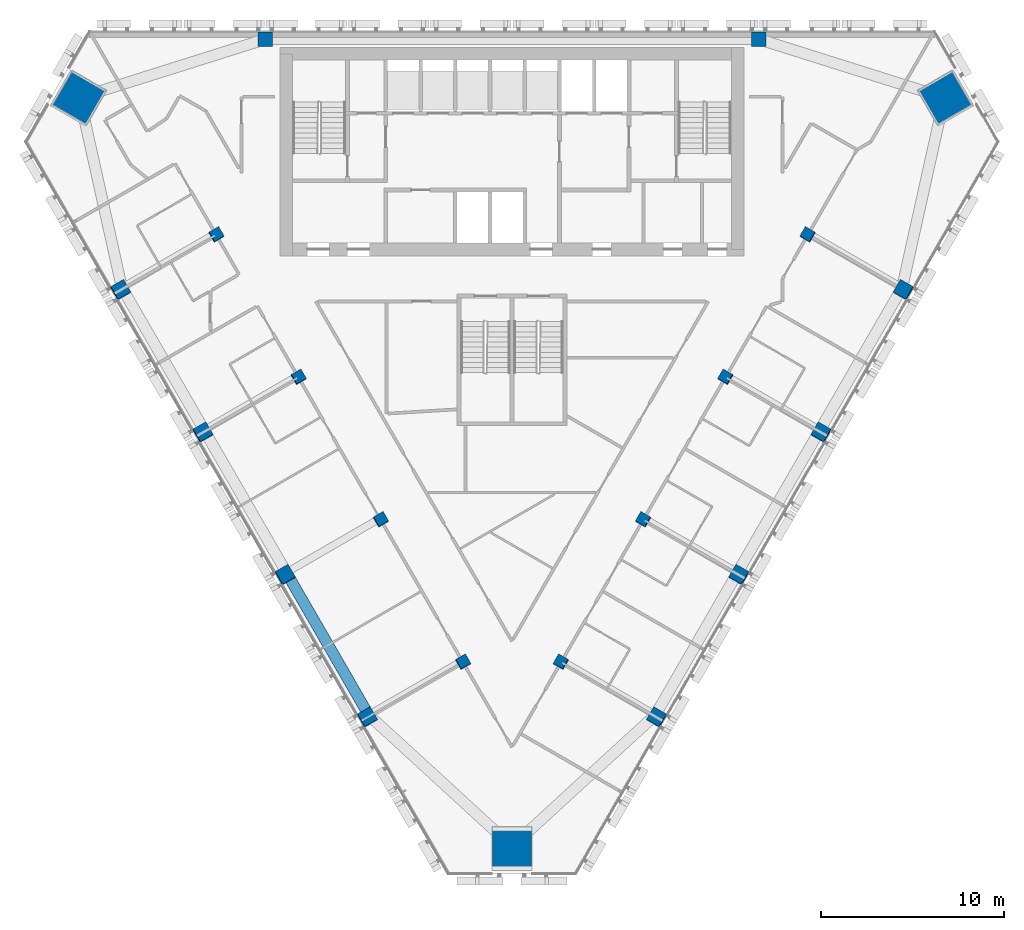
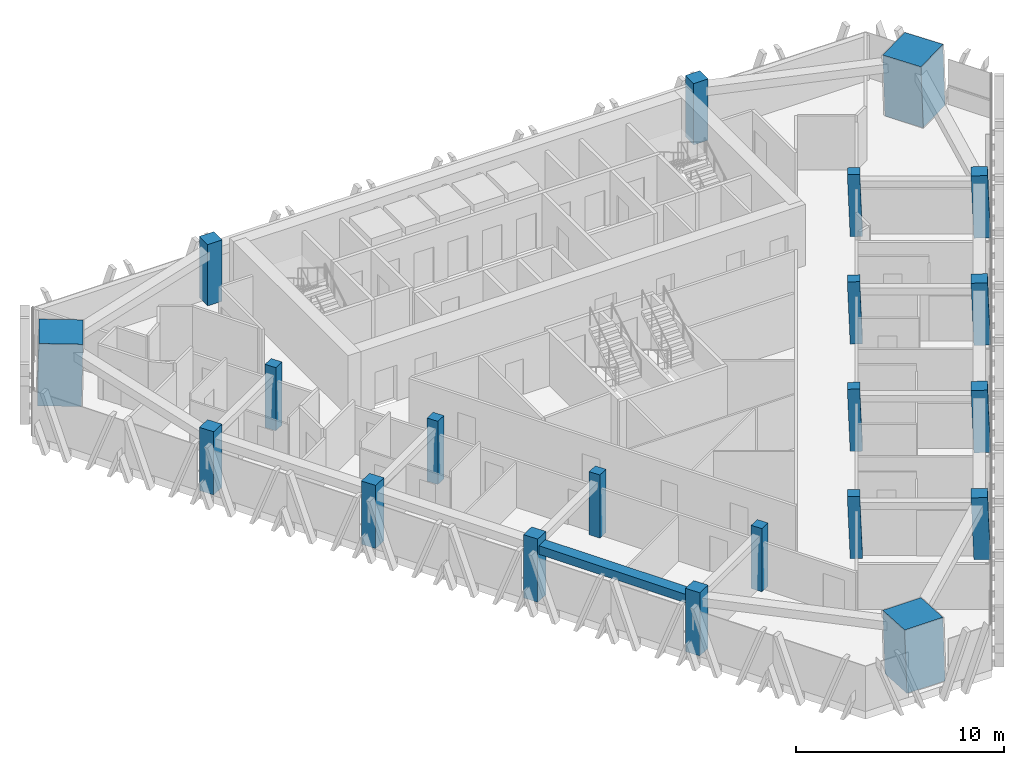
# One storey, part 1 of 16: 21 columns, 1 beam.
"""IFC4 building model written with IfcOpenShell, lengths in metres."""

from ifc_helpers import new_model, si_unit, direction, frame, origin, origin_2d, place, context, subcontext, project, spatial, rectangle, extrude, material, material_profile, profile_set, type_object, element, save


model = new_model("IFC4")

# Units and contexts
model_context = context("Model", 3, precision=1e-05, world=origin(), true_north=direction((0.0, 1.0)))
body_context = subcontext(model_context, "Body", "Model", "MODEL_VIEW")
ifc_project = project(units=[si_unit("LENGTHUNIT", "METRE"), si_unit("AREAUNIT", "SQUARE_METRE"), si_unit("VOLUMEUNIT", "CUBIC_METRE"), si_unit("PLANEANGLEUNIT", "RADIAN"), si_unit("MASSUNIT", "GRAM", prefix="KILO")], contexts=[model_context])

# Site, building, storey
site_placement = place(None, origin())
site = spatial("IfcSite", under=ifc_project, at=site_placement, CompositionType="ELEMENT")
building_placement = place(site_placement, origin())
building = spatial("IfcBuilding", under=site, at=building_placement, Name="Altiplano Prism Tower", CompositionType="ELEMENT")
storey_placement = place(building_placement, frame((0.0, 0.0, 167.39990234375)))
storey = spatial("IfcBuildingStorey", under=building, at=storey_placement, Name="L43", CompositionType="ELEMENT", Elevation=167.39990234375)

# Columns
ifc_material_1 = material(Name="Concrete C60/75", Category="concrete")
ifc_material_profile_1 = material_profile(ifc_material_1, rectangle(XDim=0.60009765625, YDim=0.60009765625, at=origin_2d()), Name="Inner column 600")
ifc_profile_set_1 = profile_set([ifc_material_profile_1], Name="Concrete C60/75")
column_type_1 = type_object("IfcColumnType", Name="Inner column 600", PredefinedType="COLUMN", material=ifc_profile_set_1)
for number, where, z_axis, x_axis, name in (
    (1, (68.811767578125, 93.843994140625, -0.01806640625), (0.022222910879, 0.038415824599, 0.999014697916), (-0.866021322354, -0.498527672539, 0.038434736118), "Inner column I11 L43"),
    (2, (73.311767578125, 86.0498046875, -0.01806640625), (0.022222910879, 0.038415824599, 0.999014697916), (-0.866023998813, -0.498523032246, 0.038434617219), "Inner column I12 L43"),
    (3, (77.811767578125, 78.25537109375, -0.01806640625), (0.022222852987, 0.038483477124, 0.999012095419), (-0.865639352107, -0.499186721818, 0.038485436791), "Inner column I13 L43"),
    (4, (82.311767578125, 70.461181640625, -0.01806640625), (0.022222852987, 0.038483477124, 0.999012095419), (-0.865639352107, -0.499186721818, 0.038485436791), "Inner column I14 L43"),
    (5, (87.688232421875, 70.461181640625, -0.01806640625), (-0.022222852987, 0.038483477124, 0.999012095419), (-0.500174626395, -0.865639439229, 0.022219459073), "Inner column I21 L43"),
    (6, (92.188232421875, 78.25537109375, -0.01806640625), (-0.022222852987, 0.038483477124, 0.999012095419), (-0.500174626395, -0.865639439229, 0.022219459073), "Inner column I22 L43"),
    (7, (96.688232421875, 86.0498046875, -0.01806640625), (-0.022222910879, 0.038415824599, 0.999014697916), (-0.499508333977, -0.866024832635, 0.02219039312), "Inner column I23 L43"),
    (8, (101.188232421875, 93.843994140625, -0.01806640625), (-0.022222910879, 0.038415824599, 0.999014697916), (-0.499508333977, -0.866024832635, 0.02219039312), "Inner column I24 L43"),
):
    element("IfcColumn", number, at=place(storey_placement, frame(where, z_axis=z_axis, x_axis=x_axis)), inside=storey, type_object=column_type_1, Name=name, PredefinedType="COLUMN", context=body_context, shape_type="SweptSolid", body=[
        extrude(rectangle(XDim=0.60009765625, YDim=0.60009765625, at=origin_2d()), origin(), (0.0, 0.0, 1.0), 3.603515625),
    ])
ifc_material_2 = material(Name="Concrete C70/85", Category="concrete")
ifc_material_profile_2 = material_profile(ifc_material_2, rectangle(XDim=2.1201171875, YDim=2.1201171875, at=origin_2d()), Name="Mega column infill 2200")
ifc_profile_set_2 = profile_set([ifc_material_profile_2], Name="Concrete C70/85")
column_type_2 = type_object("IfcColumnType", Name="Mega column infill 2200", PredefinedType="COLUMN", material=ifc_profile_set_2)
column_1_placement = place(storey_placement, frame((61.240478515625, 101.31982421875, 0.0), z_axis=(0.028401814599, 0.009218727412, 0.999554076572), x_axis=(-0.865123051177, 0.5011623582, 0.019959885917)))
element("IfcColumn", 9, at=column_1_placement, inside=storey, type_object=column_type_2, Name="Mega column M0 L43", PredefinedType="COLUMN", context=body_context, shape_type="SweptSolid", body=[
    extrude(rectangle(XDim=2.1201171875, YDim=2.1201171875, at=origin_2d()), origin(), (0.0, 0.0, 1.0), 3.601806640625),
])
column_2_placement = place(storey_placement, frame((85.0, 60.167236328125, 0.0), z_axis=(0.0, 0.058356907999, 0.998295783467), x_axis=(-1.0, 0.0, 0.0)))
element("IfcColumn", 10, at=column_2_placement, inside=storey, type_object=column_type_2, Name="Mega column M1 L43", PredefinedType="COLUMN", context=body_context, shape_type="SweptSolid", body=[
    extrude(rectangle(XDim=2.1201171875, YDim=2.1201171875, at=origin_2d()), origin(), (0.0, 0.0, 1.0), 3.606201171875),
])
column_3_placement = place(storey_placement, frame((108.759521484375, 101.31982421875, 0.0), z_axis=(-0.028401814599, 0.009218727412, 0.999554076572), x_axis=(0.500752382038, -0.86530561276, 0.022209196488)))
element("IfcColumn", 11, at=column_3_placement, inside=storey, type_object=column_type_2, Name="Mega column M2 L43", PredefinedType="COLUMN", context=body_context, shape_type="SweptSolid", body=[
    extrude(rectangle(XDim=2.1201171875, YDim=2.1201171875, at=origin_2d()), origin(), (0.0, 0.0, 1.0), 3.601806640625),
])
ifc_material_profile_3 = material_profile(ifc_material_1, rectangle(XDim=0.800048828125, YDim=0.800048828125, at=origin_2d()), Name="Perimeter column 800")
ifc_profile_set_3 = profile_set([ifc_material_profile_3], Name="Concrete C60/75")
column_type_3 = type_object("IfcColumnType", Name="Perimeter column 800", PredefinedType="COLUMN", material=ifc_profile_set_3)
for number, where, z_axis, x_axis, name in (
    (12, (98.5, 104.550048828125, 0.0), (0.0, 0.0, 1.0), (1.0, 0.0, 0.0), "Perimeter column P01 L43"),
    (13, (71.5, 104.550048828125, 0.0), (0.0, 0.0, 1.0), (1.0, 0.0, 0.0), "Perimeter column P04 L43"),
):
    element("IfcColumn", number, at=place(storey_placement, frame(where, z_axis=z_axis, x_axis=x_axis)), inside=storey, type_object=column_type_3, Name=name, PredefinedType="COLUMN", context=body_context, shape_type="SweptSolid", body=[
        extrude(rectangle(XDim=0.800048828125, YDim=0.800048828125, at=origin_2d()), origin(), (0.0, 0.0, 1.0), 3.60009765625),
    ])
for number, where, z_axis, x_axis, name in (
    (14, (63.572265625, 90.818603515625, -0.024169921875), (0.02222134892, 0.038480872521, 0.999012229206), (-0.865642081321, -0.499182199018, 0.038482713395), "Perimeter column P11 L43"),
    (15, (68.072265625, 83.0244140625, -0.024169921875), (0.02222134892, 0.038480872521, 0.999012229206), (-0.865642081321, -0.499182199018, 0.038482713395), "Perimeter column P12 L43"),
    (16, (72.572265625, 75.230224609375, -0.024169921875), (0.02222134892, 0.038480872521, 0.999012229206), (-0.865639410047, -0.499186822153, 0.038482832055), "Perimeter column P13 L43"),
    (17, (77.072265625, 67.43603515625, -0.024169921875), (0.022221406801, 0.038413224561, 0.999014831351), (-0.866021380218, -0.498527772566, 0.0384321348), "Perimeter column P14 L43"),
    (18, (92.927734375, 67.43603515625, -0.024169921875), (-0.022221406801, 0.038413224561, 0.999014831351), (-0.499512940858, -0.866022219206, 0.022188685317), "Perimeter column P21 L43"),
    (19, (97.427734375, 75.230224609375, -0.024169921875), (-0.02222134892, 0.038480872521, 0.999012229206), (-0.500174592943, -0.865639497158, 0.022217955235), "Perimeter column P22 L43"),
    (20, (101.927734375, 83.0244140625, -0.024169921875), (-0.02222134892, 0.038480872521, 0.999012229206), (-0.500169969809, -0.865642163156, 0.022218160761), "Perimeter column P23 L43"),
    (21, (106.427734375, 90.818603515625, -0.024169921875), (-0.02222134892, 0.038480872521, 0.999012229206), (-0.500169969809, -0.865642163156, 0.022218160761), "Perimeter column P24 L43"),
):
    element("IfcColumn", number, at=place(storey_placement, frame(where, z_axis=z_axis, x_axis=x_axis)), inside=storey, type_object=column_type_3, Name=name, PredefinedType="COLUMN", context=body_context, shape_type="SweptSolid", body=[
        extrude(rectangle(XDim=0.800048828125, YDim=0.800048828125, at=origin_2d()), origin(), (0.0, 0.0, 1.0), 3.603759765625),
    ])

# Beam
ifc_material_profile_4 = material_profile(ifc_material_1, rectangle(XDim=0.60009765625, YDim=0.5, at=origin_2d()), Name="Edge beam 600x500")
ifc_profile_set_4 = profile_set([ifc_material_profile_4], Name="Concrete C60/75")
beam_type = type_object("IfcBeamType", Name="Edge beam 600x500", PredefinedType="SPANDREL", material=ifc_profile_set_4)
beam_placement = place(storey_placement, frame((72.792724609375, 75.127197265625, 2.900146484375), z_axis=(0.499993714791, -0.866029032521, 0.0), x_axis=(0.866029032521, 0.499993714791, 0.0)))
element("IfcBeam", 22, at=beam_placement, inside=storey, type_object=beam_type, Name="Edge beam P13-P14 L44", PredefinedType="SPANDREL", context=body_context, shape_type="SweptSolid", body=[
    extrude(rectangle(XDim=0.60009765625, YDim=0.5, at=origin_2d()), origin(), (0.0, 0.0, 1.0), 8.43994140625),
])

save(model, "model.ifc")
